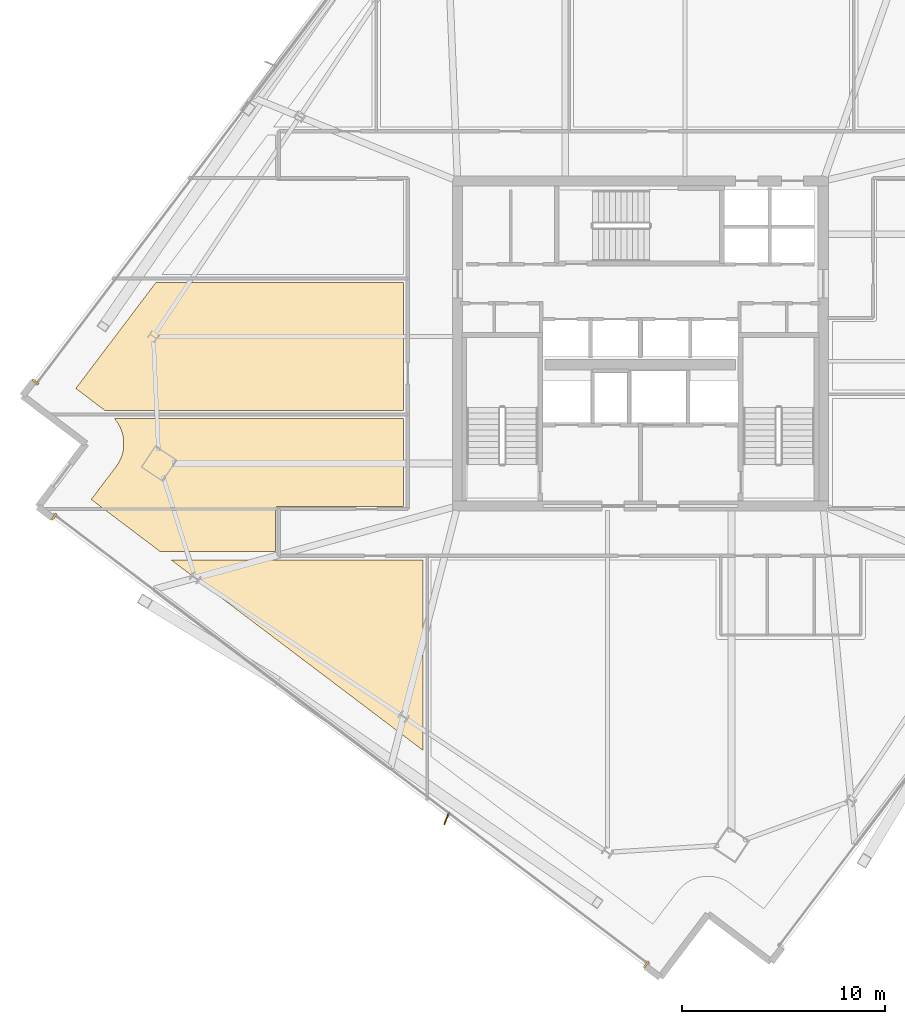
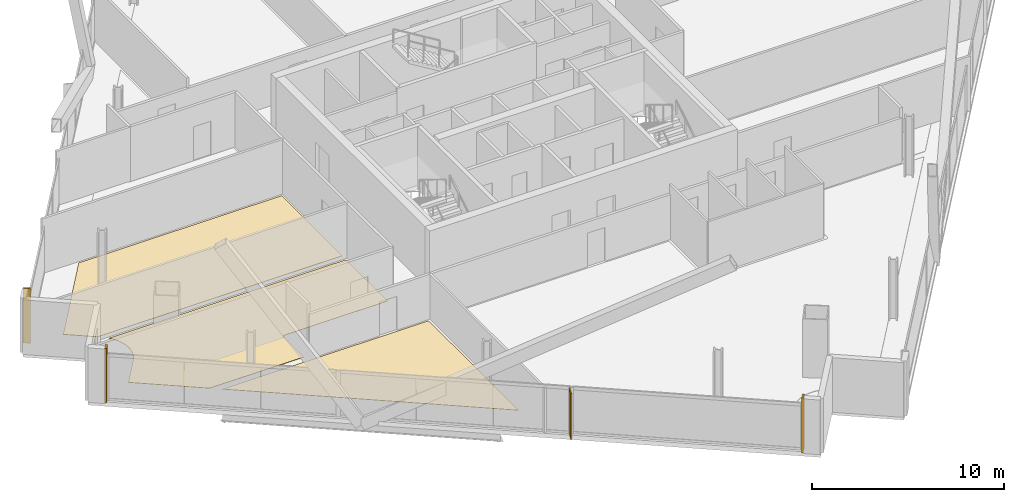
# One storey, part 30 of 34: 6 coverings, 1 shading device.
"""IFC4 building model written with IfcOpenShell, lengths in metres."""

from ifc_helpers import new_model, si_unit, direction, frame, origin, origin_2d, place, context, subcontext, project, spatial, polyline, rectangle, outline, extrude, source, transform, mapped, material, layer, layer_set, type_object, element, save


model = new_model("IFC4")

# Units and contexts
model_context = context("Model", 3, precision=1e-05, world=origin(), true_north=direction((0.0, 1.0)))
body_context = subcontext(model_context, "Body", "Model", "MODEL_VIEW")
ifc_project = project(units=[si_unit("LENGTHUNIT", "METRE"), si_unit("AREAUNIT", "SQUARE_METRE"), si_unit("VOLUMEUNIT", "CUBIC_METRE"), si_unit("PLANEANGLEUNIT", "RADIAN"), si_unit("MASSUNIT", "GRAM", prefix="KILO")], contexts=[model_context])

# Site, building, storey
site_placement = place(None, origin())
site = spatial("IfcSite", under=ifc_project, at=site_placement, CompositionType="ELEMENT")
building_placement = place(site_placement, origin())
building = spatial("IfcBuilding", under=site, at=building_placement, Name="Haldenkirk Collegiate Tower", CompositionType="ELEMENT")
storey_placement = place(building_placement, frame((0.0, 0.0, 205.949951171875)))
storey = spatial("IfcBuildingStorey", under=building, at=storey_placement, Name="L51", CompositionType="ELEMENT", Elevation=205.949951171875)

# Coverings
ifc_material_1 = material(Name="Polished collegiate terrazzo", Category="concrete")
ifc_layer_1 = layer(ifc_material_1, 0.02490234375)
ifc_layer_set_1 = layer_set([ifc_layer_1], Name="Polished collegiate terrazzo")
covering_type_1 = type_object("IfcCoveringType", Name="COV-FLOOR-TERRAZZO", PredefinedType="FLOORING", material=ifc_layer_set_1)
covering_1_placement = place(storey_placement, origin())
element("IfcCovering", 1, at=covering_1_placement, inside=storey, type_object=covering_type_1, Name="L51 academic room finish 08", PredefinedType="FLOORING", context=body_context, shape_type="SweptSolid", body=[
    extrude(outline(polyline([(8.208984375, 23.78564453125), (12.152587890625, 29.0), (24.35009765625, 29.0), (24.35009765625, 22.699951171875), (9.644287109375, 22.699951171875), (8.208984375, 23.78564453125)])), origin(), (0.0, 0.0, 1.0), 0.025146484375),
])
ifc_material_2 = material(Name="Engineered collegiate oak acoustic flooring", Category="wood")
ifc_layer_2 = layer(ifc_material_2, 0.02197265625)
ifc_layer_set_2 = layer_set([ifc_layer_2], Name="Engineered collegiate oak acoustic flooring")
covering_type_2 = type_object("IfcCoveringType", Name="COV-FLOOR-TIMBER", PredefinedType="FLOORING", material=ifc_layer_set_2)
covering_2_placement = place(storey_placement, origin())
element("IfcCovering", 2, at=covering_2_placement, inside=storey, type_object=covering_type_2, Name="L51 academic room finish 01", PredefinedType="FLOORING", context=body_context, shape_type="SweptSolid", body=[
    extrude(outline(polyline([(12.897216796875, 15.35009765625), (25.300048828125, 15.35009765625), (25.300048828125, 5.969970703125), (12.897216796875, 15.35009765625)])), origin(), (0.0, 0.0, 1.0), 0.02197265625),
])
covering_3_placement = place(storey_placement, origin())
element("IfcCovering", 3, at=covering_3_placement, inside=storey, type_object=covering_type_2, Name="L51 academic room finish 07", PredefinedType="FLOORING", context=body_context, shape_type="SweptSolid", body=[
    extrude(outline(polyline([(10.107421875, 22.300048828125), (24.35009765625, 22.300048828125), (24.35009765625, 17.969970703125), (18.14990234375, 17.969970703125), (18.13818359375, 17.969482421875), (18.126708984375, 17.9677734375), (18.115234375, 17.96484375), (18.10400390625, 17.9609375), (18.093505859375, 17.955810546875), (18.083251953125, 17.94970703125), (18.073974609375, 17.94287109375), (18.065185546875, 17.934814453125), (18.05712890625, 17.926025390625), (18.05029296875, 17.916748046875), (18.044189453125, 17.906494140625), (18.0390625, 17.89599609375), (18.03515625, 17.884765625), (18.0322265625, 17.873291015625), (18.030517578125, 17.86181640625), (18.030029296875, 17.85009765625), (18.030029296875, 15.75), (12.368408203125, 15.75), (8.967041015625, 18.322509765625), (10.19140625, 19.941650390625), (10.195068359375, 19.9462890625), (10.291748046875, 20.08837890625), (10.2978515625, 20.098388671875), (10.380126953125, 20.2490234375), (10.38525390625, 20.259521484375), (10.452392578125, 20.41748046875), (10.45654296875, 20.4287109375), (10.508056640625, 20.592529296875), (10.510986328125, 20.60400390625), (10.546142578125, 20.772216796875), (10.5478515625, 20.78369140625), (10.56640625, 20.954345703125), (10.56689453125, 20.96630859375), (10.568603515625, 21.137939453125), (10.568115234375, 21.149658203125), (10.552978515625, 21.32080078125), (10.55126953125, 21.33251953125), (10.519287109375, 21.501220703125), (10.5166015625, 21.5126953125), (10.468505859375, 21.677490234375), (10.464599609375, 21.688720703125), (10.400146484375, 21.847900390625), (10.395263671875, 21.858642578125), (10.31591796875, 22.0107421875), (10.309814453125, 22.02099609375), (10.2158203125, 22.16455078125), (10.208740234375, 22.17431640625), (10.107421875, 22.300048828125)])), origin(), (0.0, 0.0, 1.0), 0.02197265625),
])
ifc_material_3 = material(Name="Anodised architectural bronze aluminium", Category="aluminium")
ifc_layer_3 = layer(ifc_material_3, 0.06005859375)
ifc_layer_set_3 = layer_set([ifc_layer_3], Name="Anodised architectural bronze aluminium")
covering_type_3 = type_object("IfcCoveringType", Name="COV-CLAD-BRONZE-60", PredefinedType="CLADDING", material=ifc_layer_set_3)
shared_shape_1 = source(origin(), body_context, "Body", "SweptSolid", [
    extrude(rectangle(XDim=0.10009765625, YDim=0.3798828125, at=origin_2d()), origin(), (0.0, 0.0, 1.0), 3.469970703125),
])
for number, where, z_axis, x_axis, name in (
    (4, (6.22216796875, 24.109619140625, 0.0), (0.0, 0.0, 1.0), (0.603207987745, 0.797583928825, 0.0), "L51 recessed curtain-wall bronze jamb closure NJL"),
    (5, (36.287353515625, -4.5712890625, 0.0), (0.0, 0.0, 1.0), (-0.797583928825, 0.603207987745, 0.0), "L51 recessed curtain-wall bronze jamb closure WJL"),
    (6, (7.1435546875, 17.4697265625, 0.0), (0.0, 0.0, 1.0), (-0.797583928825, 0.603207987745, 0.0), "L51 recessed curtain-wall bronze jamb closure WJR"),
):
    element("IfcCovering", number, at=place(storey_placement, frame(where, z_axis=z_axis, x_axis=x_axis)), inside=storey, type_object=covering_type_3, Name=name, PredefinedType="CLADDING", context=body_context, shape_type="MappedRepresentation", body=[
        mapped(shared_shape_1, transform((0.0, 0.0, 0.0), x_axis=(1.0, 0.0, 0.0), y_axis=(0.0, 1.0, 0.0), z_axis=(0.0, 0.0, 1.0), scale=1.0)),
    ])

# Shading device
ifc_layer_4 = layer(ifc_material_3, 0.06494140625)
ifc_layer_set_4 = layer_set([ifc_layer_4], Name="Anodised architectural bronze aluminium")
shading_device_type = type_object("IfcShadingDeviceType", Name="SHD-FIN-BRONZE-620", PredefinedType="USERDEFINED", material=ifc_layer_set_4)
shared_shape_2 = source(origin(), body_context, "Body", "SweptSolid", [
    extrude(rectangle(XDim=0.6201171875, YDim=0.06494140625, at=origin_2d()), origin(), (0.0, 0.0, 1.0), 2.927978515625),
])
shading_device_placement = place(storey_placement, frame((26.45703125, 2.606201171875, 0.0), z_axis=(0.0, 0.0, 1.0), x_axis=(-0.35999680812, -0.932953534825, 0.0)))
element("IfcShadingDevice", 7, at=shading_device_placement, inside=storey, type_object=shading_device_type, Name="L51 folded bronze solar fin 1", ObjectType="FIN", PredefinedType="USERDEFINED", context=body_context, shape_type="MappedRepresentation", body=[
    mapped(shared_shape_2, transform((0.0, 0.0, 0.0), x_axis=(1.0, 0.0, 0.0), y_axis=(0.0, 1.0, 0.0), z_axis=(0.0, 0.0, 1.0), scale=1.0)),
])

save(model, "model.ifc")
